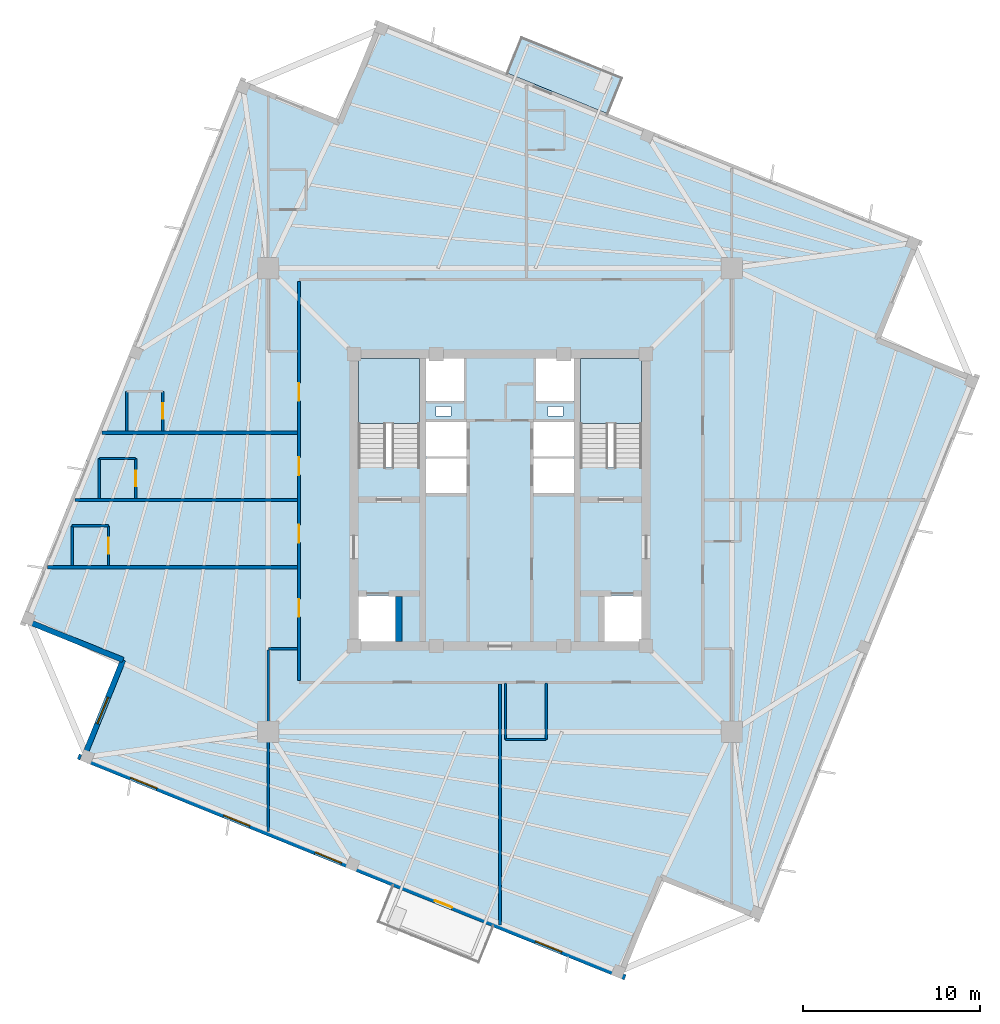
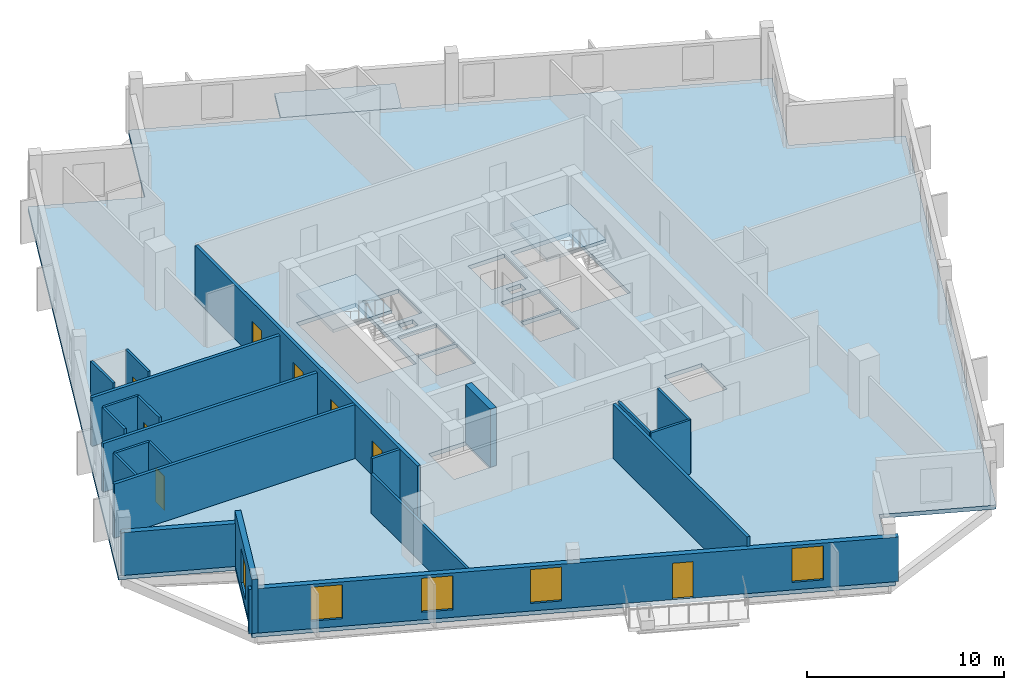
# One storey, part 2 of 8: 22 walls, 8 doors, 5 windows, 4 slabs, 13 openings, 2 elements without a shape of their own.
"""IFC4 building model written with IfcOpenShell, lengths in metres."""

from ifc_helpers import new_model, si_unit, direction, frame, frame_2d, origin, place, context, subcontext, project, spatial, polyline, rectangle, outline, extrude, source, transform, mapped, material, layer, layer_set, type_object, element, fill, aggregate, save


model = new_model("IFC4")

# Units and contexts
model_context = context("Model", 3, precision=1e-05, world=origin(), true_north=direction((0.0, 1.0)))
body_context = subcontext(model_context, "Body", "Model", "MODEL_VIEW")
ifc_project = project(units=[si_unit("LENGTHUNIT", "METRE"), si_unit("AREAUNIT", "SQUARE_METRE"), si_unit("VOLUMEUNIT", "CUBIC_METRE"), si_unit("PLANEANGLEUNIT", "RADIAN"), si_unit("MASSUNIT", "GRAM", prefix="KILO"), si_unit("THERMODYNAMICTEMPERATUREUNIT", "KELVIN")], contexts=[model_context])

# Site, building, storey
site_placement = place(None, origin())
site = spatial("IfcSite", under=ifc_project, at=site_placement, CompositionType="ELEMENT")
building_placement = place(site_placement, origin())
building = spatial("IfcBuilding", under=site, at=building_placement, Name="Kosmvard Interchange Tower", CompositionType="ELEMENT")
storey_placement = place(building_placement, frame((0.0, 0.0, 286.800048828125)))
storey = spatial("IfcBuildingStorey", under=building, at=storey_placement, Name="L70", CompositionType="ELEMENT", Elevation=286.800048828125)

# Slab
ifc_material_1 = material(Name="Concrete C50/60", Category="concrete")
ifc_layer_1 = layer(ifc_material_1, 0.25, Name="Concrete C50/60")
ifc_layer_set_1 = layer_set([ifc_layer_1], Name="Concrete C50/60")
slab_type_1 = type_object("IfcSlabType", Name="Hotel Acoustic Floor Slab 250 C50/60", PredefinedType="FLOOR", material=ifc_layer_set_1)
slab_1_placement = place(storey_placement, frame((0.0, 0.0, -0.25)))
element("IfcSlab", 1, at=slab_1_placement, inside=storey, type_object=slab_type_1, Name="L70 Structural Floor Slab", PredefinedType="FLOOR", context=body_context, shape_type="SweptSolid", body=[
    extrude(outline(polyline([(14.6806640625, -23.727294921875), (27.042724609375, 6.869873046875), (21.4794921875, 9.117431640625), (23.727294921875, 14.6806640625), (-6.869873046875, 27.042724609375), (-9.117431640625, 21.4794921875), (-14.6806640625, 23.727294921875), (-27.042724609375, -6.869873046875), (-21.4794921875, -9.117431640625), (-23.727294921875, -14.6806640625), (6.869873046875, -27.042724609375), (9.117431640625, -21.4794921875), (14.6806640625, -23.727294921875)]), holes=[polyline([(-8.0, 1.8349609375), (-4.5400390625, 1.8349609375), (-4.5400390625, 8.0), (-8.0, 8.0), (-8.0, 1.8349609375)]), polyline([(4.5400390625, 1.8349609375), (8.0, 1.8349609375), (8.0, 8.0), (4.5400390625, 8.0), (4.5400390625, 1.8349609375)]), polyline([(-8.0, -8.0), (-5.800048828125, -8.0), (-5.800048828125, -5.39990234375), (-8.0, -5.39990234375), (-8.0, -8.0)]), polyline([(5.800048828125, -8.0), (8.0, -8.0), (8.0, -5.39990234375), (5.800048828125, -5.39990234375), (5.800048828125, -8.0)]), polyline([(-4.179931640625, 0.39990234375), (-1.8798828125, 0.39990234375), (-1.8798828125, 2.340087890625), (-4.179931640625, 2.340087890625), (-4.179931640625, 0.39990234375)]), polyline([(-4.179931640625, 2.4599609375), (-1.8798828125, 2.4599609375), (-1.8798828125, 4.39990234375), (-4.179931640625, 4.39990234375), (-4.179931640625, 2.4599609375)]), polyline([(1.8798828125, 0.39990234375), (4.179931640625, 0.39990234375), (4.179931640625, 2.340087890625), (1.8798828125, 2.340087890625), (1.8798828125, 0.39990234375)]), polyline([(1.8798828125, 2.4599609375), (4.179931640625, 2.4599609375), (4.179931640625, 4.39990234375), (1.8798828125, 4.39990234375), (1.8798828125, 2.4599609375)]), polyline([(-4.179931640625, 5.60009765625), (-2.0400390625, 5.60009765625), (-2.0400390625, 8.0), (-4.179931640625, 8.0), (-4.179931640625, 5.60009765625)]), polyline([(2.0400390625, 5.60009765625), (4.179931640625, 5.60009765625), (4.179931640625, 8.0), (2.0400390625, 8.0), (2.0400390625, 5.60009765625)]), polyline([(-3.614990234375, 4.739990234375), (-2.764892578125, 4.739990234375), (-2.764892578125, 5.2900390625), (-3.614990234375, 5.2900390625), (-3.614990234375, 4.739990234375)]), polyline([(2.715087890625, 4.739990234375), (3.56494140625, 4.739990234375), (3.56494140625, 5.2900390625), (2.715087890625, 5.2900390625), (2.715087890625, 4.739990234375)])]), origin(), (0.0, 0.0, 1.0), 0.25),
])

# Stair, slab
stair_type = type_object("IfcStairType", Name="Dog-Leg Core Exit Stair H3600 C50/60", PredefinedType="HALF_TURN_STAIR", material=ifc_material_1)
stair_1_placement = place(storey_placement, origin())
stair_1 = element("IfcStair", 2, at=stair_1_placement, inside=storey, type_object=stair_type, Name="L70 Protected Exit Stair ST-1", PredefinedType="HALF_TURN_STAIR")
ifc_layer_2 = layer(ifc_material_1, 0.199951171875, Name="Concrete C50/60")
ifc_layer_set_2 = layer_set([ifc_layer_2], Name="Concrete C50/60")
slab_type_2 = type_object("IfcSlabType", Name="Stair Half-Landing Slab 200 C50/60", PredefinedType="LANDING", material=ifc_layer_set_2)
slab_2_placement = place(storey_placement, frame((0.0, 0.0, 1.599853515625)))
slab_2 = element("IfcSlab", 3, at=slab_2_placement, type_object=slab_type_2, Name="ST-1 landing 1", PredefinedType="LANDING", context=body_context, shape_type="SweptSolid", body=[
    extrude(outline(polyline([(-4.5400390625, 4.320068359375), (-4.5400390625, 8.0), (-8.0, 8.0), (-8.0, 4.320068359375), (-4.5400390625, 4.320068359375)])), origin(), (0.0, 0.0, 1.0), 0.2001953125),
])
aggregate(stair_1, [slab_2])

stair_2_placement = place(storey_placement, origin())
stair_2 = element("IfcStair", 4, at=stair_2_placement, inside=storey, type_object=stair_type, Name="L70 Protected Exit Stair ST-2", PredefinedType="HALF_TURN_STAIR")
slab_3_placement = place(storey_placement, frame((0.0, 0.0, 1.599853515625)))
slab_3 = element("IfcSlab", 5, at=slab_3_placement, type_object=slab_type_2, Name="ST-2 landing 1", PredefinedType="LANDING", context=body_context, shape_type="SweptSolid", body=[
    extrude(outline(polyline([(8.0, 4.320068359375), (8.0, 8.0), (4.5400390625, 8.0), (4.5400390625, 4.320068359375), (8.0, 4.320068359375)])), origin(), (0.0, 0.0, 1.0), 0.2001953125),
])
aggregate(stair_2, [slab_3])

# Slab
ifc_layer_3 = layer(ifc_material_1, 0.22998046875, Name="Concrete C50/60")
ifc_layer_set_3 = layer_set([ifc_layer_3], Name="Concrete C50/60")
slab_type_3 = type_object("IfcSlabType", Name="Tree-Planter Cantilever Balcony Slab 230 C50/60", PredefinedType="FLOOR", material=ifc_layer_set_3)
slab_4_placement = place(storey_placement, frame((0.0, 0.0, -0.22998046875)))
element("IfcSlab", 6, at=slab_4_placement, inside=storey, type_object=slab_type_3, Name="L70 Outdoor Terrace Balcony Slab BAL-L70-E", PredefinedType="FLOOR", context=body_context, shape_type="SweptSolid", body=[
    extrude(outline(polyline([(6.110595703125, 21.798095703125), (6.934814453125, 23.837890625), (1.186279296875, 26.160400390625), (0.362060546875, 24.12060546875), (6.110595703125, 21.798095703125)])), origin(), (0.0, 0.0, 1.0), 0.22998046875),
])

# Walls
ifc_material_2 = material(Name="Acoustic gypsum partition system")
ifc_layer_4 = layer(ifc_material_2, 0.14990234375, Name="Acoustic gypsum partition system")
ifc_layer_set_4 = layer_set([ifc_layer_4], Name="Acoustic gypsum partition system")
wall_type_1 = type_object("IfcWallType", Name="Acoustic Suite & Meeting Partition 150", PredefinedType="PARTITIONING", material=ifc_layer_set_4)
wall_1_placement = place(storey_placement, frame((-11.445068359375, -8.39990234375, 0.0), z_axis=(0.0, 0.0, 1.0), x_axis=(-1.0, 0.0, 0.0)))
element("IfcWall", 7, at=wall_1_placement, inside=storey, type_object=wall_type_1, Name="L70 Room Partition 13.1", PredefinedType="PARTITIONING", context=body_context, shape_type="SweptSolid", body=[
    extrude(rectangle(XDim=1.635986328125, YDim=0.14990234375, at=frame_2d((0.81787109375, 0.0))), origin(), (0.0, 0.0, 1.0), 3.349853515625),
])
wall_2_placement = place(storey_placement, frame((-13.0810546875, -8.47509765625, 0.0), z_axis=(0.0, 0.0, 1.0), x_axis=(0.0, -1.0, 0.0)))
element("IfcWall", 8, at=wall_2_placement, inside=storey, type_object=wall_type_1, Name="L70 Room Partition 14.1", PredefinedType="PARTITIONING", context=body_context, shape_type="SweptSolid", body=[
    extrude(rectangle(XDim=10.24267578125, YDim=0.14990234375, at=frame_2d((5.121337890625, 0.0))), origin(), (0.0, 0.0, 1.0), 2.449951171875),
])

# Wall, openings, doors
ifc_material_3 = material(Name="Fire-rated gypsum partition system")
ifc_layer_5 = layer(ifc_material_3, 0.179931640625, Name="Fire-rated gypsum partition system")
ifc_layer_set_5 = layer_set([ifc_layer_5], Name="Fire-rated gypsum partition system")
wall_type_2 = type_object("IfcWallType", Name="Corridor & Hotel Compartment Partition 180", PredefinedType="PARTITIONING", material=ifc_layer_set_5)
wall_3_placement = place(storey_placement, frame((-11.35009765625, -10.199951171875, 0.0), z_axis=(0.0, 0.0, 1.0), x_axis=(0.0, 1.0, 0.0)))
wall_3 = element("IfcWall", 9, at=wall_3_placement, inside=storey, type_object=wall_type_2, Name="L70 Corridor Wall CW", PredefinedType="PARTITIONING", context=body_context, shape_type="SweptSolid", body=[
    extrude(rectangle(XDim=22.550048828125, YDim=0.179931640625, at=frame_2d((11.27490234375, 0.0))), origin(), (0.0, 0.0, 1.0), 3.349853515625),
])
opening_1_placement = place(wall_3_placement, frame((11.60009765625, 0.0, 0.0)))
opening_1 = element("IfcOpeningElement", 10, at=opening_1_placement, cuts=wall_3, Name="Opening L70-D02", PredefinedType="OPENING", context=body_context, shape_type="SweptSolid", body=[
    extrude(rectangle(XDim=1.0, YDim=2.14990234375, at=frame_2d((0.5, 1.074951171875))), frame((0.0, 0.10009765625, 0.0), z_axis=(0.0, -1.0, 0.0), x_axis=(1.0, 0.0, 0.0)), (0.0, 0.0, 1.0), 0.199951171875),
])
opening_2_placement = place(wall_3_placement, frame((15.800048828125, 0.0, 0.0)))
opening_2 = element("IfcOpeningElement", 11, at=opening_2_placement, cuts=wall_3, Name="Opening L70-D04", PredefinedType="OPENING", context=body_context, shape_type="SweptSolid", body=[
    extrude(rectangle(XDim=1.0, YDim=2.14990234375, at=frame_2d((0.5, 1.074951171875))), frame((0.0, 0.10009765625, 0.0), z_axis=(0.0, -1.0, 0.0), x_axis=(1.0, 0.0, 0.0)), (0.0, 0.0, 1.0), 0.199951171875),
])
opening_3_placement = place(wall_3_placement, frame((3.60009765625, 0.0, 0.0)))
opening_3 = element("IfcOpeningElement", 12, at=opening_3_placement, cuts=wall_3, Name="Opening L70-D15", PredefinedType="OPENING", context=body_context, shape_type="SweptSolid", body=[
    extrude(rectangle(XDim=1.0, YDim=2.14990234375, at=frame_2d((0.5, 1.074951171875))), frame((0.0, 0.10009765625, 0.0), z_axis=(0.0, -1.0, 0.0), x_axis=(1.0, 0.0, 0.0)), (0.0, 0.0, 1.0), 0.199951171875),
])
opening_4_placement = place(wall_3_placement, frame((7.800048828125, 0.0, 0.0)))
opening_4 = element("IfcOpeningElement", 13, at=opening_4_placement, cuts=wall_3, Name="Opening L70-D16", PredefinedType="OPENING", context=body_context, shape_type="SweptSolid", body=[
    extrude(rectangle(XDim=1.0, YDim=2.14990234375, at=frame_2d((0.5, 1.074951171875))), frame((0.0, 0.10009765625, 0.0), z_axis=(0.0, -1.0, 0.0), x_axis=(1.0, 0.0, 0.0)), (0.0, 0.0, 1.0), 0.199951171875),
])
ifc_material_4 = material(Name="Engineered oak fire-rated timber", Category="wood")
door_type_1 = type_object("IfcDoorType", Name="Hotel Guestroom Entrance Door 1000x2150 EI60", OperationType="NOTDEFINED", PredefinedType="DOOR", material=ifc_material_4)
shared_shape_1 = source(origin(), body_context, "Body", "SweptSolid", [
    extrude(rectangle(XDim=1.0, YDim=2.14990234375, at=frame_2d((0.5, 1.074951171875))), frame((0.0, 0.02490234375, 0.0), z_axis=(0.0, -1.0, 0.0), x_axis=(1.0, 0.0, 0.0)), (0.0, 0.0, 1.0), 0.050048828125),
])
door_1_placement = place(opening_1_placement, origin())
door_1 = element("IfcDoor", 14, at=door_1_placement, inside=storey, type_object=door_type_1, Name="L70 Hotel Diplomatic Suite 1 Door", OperationType="SINGLE_SWING_RIGHT", OverallHeight=2.14990234375, OverallWidth=1.0, PredefinedType="DOOR", context=body_context, shape_type="MappedRepresentation", body=[
    mapped(shared_shape_1, transform((0.0, 0.0, 0.0), scale=1.0)),
])
fill(opening_1, door_1)
door_2_placement = place(opening_2_placement, origin())
door_2 = element("IfcDoor", 15, at=door_2_placement, inside=storey, type_object=door_type_1, Name="L70 Hotel Ambassador Suite 2 Door", OperationType="SINGLE_SWING_RIGHT", OverallHeight=2.14990234375, OverallWidth=1.0, PredefinedType="DOOR", context=body_context, shape_type="MappedRepresentation", body=[
    mapped(shared_shape_1, transform((0.0, 0.0, 0.0), scale=1.0)),
])
fill(opening_2, door_2)
door_3_placement = place(opening_3_placement, origin())
door_3 = element("IfcDoor", 16, at=door_3_placement, inside=storey, type_object=door_type_1, Name="L70 Hotel Treaty Briefing Room 2 Door", OperationType="SINGLE_SWING_LEFT", OverallHeight=2.14990234375, OverallWidth=1.0, PredefinedType="DOOR", context=body_context, shape_type="MappedRepresentation", body=[
    mapped(shared_shape_1, transform((0.0, 0.0, 0.0), scale=1.0)),
])
fill(opening_3, door_3)
door_4_placement = place(opening_4_placement, origin())
door_4 = element("IfcDoor", 17, at=door_4_placement, inside=storey, type_object=door_type_1, Name="L70 Hotel North-West Corner Suite 6 Door", OperationType="SINGLE_SWING_RIGHT", OverallHeight=2.14990234375, OverallWidth=1.0, PredefinedType="DOOR", context=body_context, shape_type="MappedRepresentation", body=[
    mapped(shared_shape_1, transform((0.0, 0.0, 0.0), scale=1.0)),
])
fill(opening_4, door_4)

# Walls
wall_4_placement = place(storey_placement, frame((0.0, -10.39501953125, 0.0), z_axis=(0.0, 0.0, 1.0), x_axis=(0.0, -1.0, 0.0)))
element("IfcWall", 18, at=wall_4_placement, inside=storey, type_object=wall_type_2, Name="L70 Room Partition 03.1", PredefinedType="PARTITIONING", context=body_context, shape_type="SweptSolid", body=[
    extrude(rectangle(XDim=13.607666015625, YDim=0.179931640625, at=frame_2d((6.8037109375, 0.0))), origin(), (0.0, 0.0, 1.0), 3.349853515625),
])
wall_5_placement = place(storey_placement, frame((-11.445068359375, -3.800048828125, 0.0), z_axis=(0.0, 0.0, 1.0), x_axis=(-1.0, 0.0, 0.0)))
element("IfcWall", 19, at=wall_5_placement, inside=storey, type_object=wall_type_2, Name="L70 Room Partition 04.1", PredefinedType="PARTITIONING", context=body_context, shape_type="SweptSolid", body=[
    extrude(rectangle(XDim=14.093017578125, YDim=0.179931640625, at=frame_2d((7.04638671875, 0.0))), origin(), (0.0, 0.0, 1.0), 3.349853515625),
])
wall_6_placement = place(storey_placement, frame((-11.445068359375, 0.0, 0.0), z_axis=(0.0, 0.0, 1.0), x_axis=(-1.0, 0.0, 0.0)))
element("IfcWall", 20, at=wall_6_placement, inside=storey, type_object=wall_type_2, Name="L70 Room Partition 05.1", PredefinedType="PARTITIONING", context=body_context, shape_type="SweptSolid", body=[
    extrude(rectangle(XDim=12.5576171875, YDim=0.179931640625, at=frame_2d((6.27880859375, 0.0))), origin(), (0.0, 0.0, 1.0), 3.02001953125),
])
wall_7_placement = place(storey_placement, frame((-11.445068359375, 3.800048828125, 0.0), z_axis=(0.0, 0.0, 1.0), x_axis=(-1.0, 0.0, 0.0)))
element("IfcWall", 21, at=wall_7_placement, inside=storey, type_object=wall_type_2, Name="L70 Room Partition 06.1", PredefinedType="PARTITIONING", context=body_context, shape_type="SweptSolid", body=[
    extrude(rectangle(XDim=11.0224609375, YDim=0.179931640625, at=frame_2d((5.51123046875, 0.0))), origin(), (0.0, 0.0, 1.0), 3.02001953125),
])
ifc_material_5 = material(Name="Concrete C60/75", Category="concrete")
ifc_layer_6 = layer(ifc_material_5, 0.360107421875, Name="Concrete C60/75")
ifc_layer_set_6 = layer_set([ifc_layer_6], Name="Concrete C60/75")
wall_type_3 = type_object("IfcWallType", Name="Stair & Lift Shaft Shear Wall 360 C60/75", PredefinedType="SHEAR", material=ifc_layer_set_6)
wall_8_placement = place(storey_placement, frame((-5.7099609375, -8.0, 0.0), z_axis=(0.0, 0.0, 1.0), x_axis=(0.0, 1.0, 0.0)))
element("IfcWall", 22, at=wall_8_placement, inside=storey, type_object=wall_type_3, Name="L70 Shaft Shear Wall SW-SM1", PredefinedType="SHEAR", context=body_context, shape_type="SweptSolid", body=[
    extrude(rectangle(XDim=2.5400390625, YDim=0.360107421875, at=frame_2d((1.27001953125, 0.0))), origin(), (0.0, 0.0, 1.0), 3.599853515625),
])
ifc_material_6 = material(Name="Precast concrete C45/55", Category="concrete")
ifc_layer_7 = layer(ifc_material_6, 0.31005859375, Name="Precast concrete C45/55")
ifc_layer_set_7 = layer_set([ifc_layer_7], Name="Precast concrete C45/55")
wall_type_4 = type_object("IfcWallType", Name="Upper Tower Precast Pier Wall 310 C45/55", PredefinedType="STANDARD", material=ifc_layer_set_7)
wall_9_placement = place(storey_placement, frame((-26.8408203125, -6.7841796875, 0.0), z_axis=(0.0, 0.0, 1.0), x_axis=(0.927171722085, -0.374636620962, 0.0)))
element("IfcWall", 23, at=wall_9_placement, inside=storey, type_object=wall_type_4, Name="L70 Precast Facade Wall N-NW1", PredefinedType="STANDARD", context=body_context, shape_type="SweptSolid", body=[
    extrude(rectangle(XDim=6.0, YDim=0.31005859375, at=frame_2d((3.0, 0.0))), origin(), (0.0, 0.0, 1.0), 2.64990234375),
])

# Wall, opening, window
wall_10_placement = place(storey_placement, frame((-21.27783203125, -9.031982421875, 0.0), z_axis=(0.0, 0.0, 1.0), x_axis=(-0.374602739196, -0.927185411764, 0.0)))
wall_10 = element("IfcWall", 24, at=wall_10_placement, inside=storey, type_object=wall_type_4, Name="L70 Precast Facade Wall N-NW2", PredefinedType="STANDARD", context=body_context, shape_type="SweptSolid", body=[
    extrude(rectangle(XDim=6.155029296875, YDim=0.31005859375, at=frame_2d((3.07763671875, 0.0))), origin(), (0.0, 0.0, 1.0), 3.349853515625),
])
opening_5_placement = place(wall_10_placement, frame((2.277587890625, 0.0, 0.469970703125)))
opening_5 = element("IfcOpeningElement", 25, at=opening_5_placement, cuts=wall_10, Name="Opening L70-W21", PredefinedType="OPENING", context=body_context, shape_type="SweptSolid", body=[
    extrude(rectangle(XDim=1.60009765625, YDim=2.10009765625, at=frame_2d((0.800048828125, 1.050048828125))), frame((0.0, 0.1650390625, 0.0), z_axis=(0.0, -1.0, 0.0), x_axis=(1.0, 0.0, 0.0)), (0.0, 0.0, 1.0), 0.330078125),
])
ifc_material_7 = material(Name="Low-E acoustic double glazing", Category="glass")
window_type = type_object("IfcWindowType", Name="Zone 5 Hotel Punched Window 1600x2100", PartitioningType="SINGLE_PANEL", PredefinedType="WINDOW", material=ifc_material_7)
shared_shape_2 = source(origin(), body_context, "Body", "SweptSolid", [
    extrude(rectangle(XDim=1.60009765625, YDim=2.10009765625, at=frame_2d((0.800048828125, 1.050048828125))), frame((0.0, 0.030029296875, 0.0), z_axis=(0.0, -1.0, 0.0), x_axis=(1.0, 0.0, 0.0)), (0.0, 0.0, 1.0), 0.06005859375),
])
window_1_placement = place(opening_5_placement, origin())
window_1 = element("IfcWindow", 26, at=window_1_placement, inside=storey, type_object=window_type, Name="L70 Corner Notch Window 21", OverallHeight=2.10009765625, OverallWidth=1.60009765625, PartitioningType="SINGLE_PANEL", PredefinedType="WINDOW", context=body_context, shape_type="MappedRepresentation", body=[
    mapped(shared_shape_2, transform((0.0, 0.0, 0.0), scale=1.0)),
])
fill(opening_5, window_1)

# Wall, openings, door, windows
wall_11_placement = place(storey_placement, frame((-23.812744140625, -14.478759765625, 0.0), z_axis=(0.0, 0.0, 1.0), x_axis=(0.927182657188, -0.374609557019, 0.0)))
wall_11 = element("IfcWall", 27, at=wall_11_placement, inside=storey, type_object=wall_type_4, Name="L70 Precast Facade Wall F-W", PredefinedType="STANDARD", context=body_context, shape_type="SweptSolid", body=[
    extrude(rectangle(XDim=33.31005859375, YDim=0.31005859375, at=frame_2d((16.655029296875, 0.0))), origin(), (0.0, 0.0, 1.0), 2.75),
])
opening_6_placement = place(wall_11_placement, frame((21.72998046875, 0.0, 0.0)))
opening_6 = element("IfcOpeningElement", 28, at=opening_6_placement, cuts=wall_11, Name="Opening L70-BDW", PredefinedType="OPENING", context=body_context, shape_type="SweptSolid", body=[
    extrude(rectangle(XDim=1.050048828125, YDim=2.25, at=frame_2d((0.52490234375, 1.125))), frame((0.0, 0.1650390625, 0.0), z_axis=(0.0, -1.0, 0.0), x_axis=(1.0, 0.0, 0.0)), (0.0, 0.0, 1.0), 0.330078125),
])
opening_7_placement = place(wall_11_placement, frame((3.197265625, 0.0, 0.469970703125)))
opening_7 = element("IfcOpeningElement", 29, at=opening_7_placement, cuts=wall_11, Name="Opening L70-W15", PredefinedType="OPENING", context=body_context, shape_type="SweptSolid", body=[
    extrude(rectangle(XDim=1.60009765625, YDim=2.10009765625, at=frame_2d((0.800048828125, 1.050048828125))), frame((0.0, 0.1650390625, 0.0), z_axis=(0.0, -1.0, 0.0), x_axis=(1.0, 0.0, 0.0)), (0.0, 0.0, 1.0), 0.330078125),
])
opening_8_placement = place(wall_11_placement, frame((8.85986328125, 0.0, 0.469970703125)))
opening_8 = element("IfcOpeningElement", 30, at=opening_8_placement, cuts=wall_11, Name="Opening L70-W16", PredefinedType="OPENING", context=body_context, shape_type="SweptSolid", body=[
    extrude(rectangle(XDim=1.60009765625, YDim=2.10009765625, at=frame_2d((0.800048828125, 1.050048828125))), frame((0.0, 0.1650390625, 0.0), z_axis=(0.0, -1.0, 0.0), x_axis=(1.0, 0.0, 0.0)), (0.0, 0.0, 1.0), 0.330078125),
])
opening_9_placement = place(wall_11_placement, frame((14.438720703125, 0.0, 0.469970703125)))
opening_9 = element("IfcOpeningElement", 31, at=opening_9_placement, cuts=wall_11, Name="Opening L70-W17", PredefinedType="OPENING", context=body_context, shape_type="SweptSolid", body=[
    extrude(rectangle(XDim=1.60009765625, YDim=2.10009765625, at=frame_2d((0.800048828125, 1.050048828125))), frame((0.0, 0.1650390625, 0.0), z_axis=(0.0, -1.0, 0.0), x_axis=(1.0, 0.0, 0.0)), (0.0, 0.0, 1.0), 0.330078125),
])
opening_10_placement = place(wall_11_placement, frame((27.8466796875, 0.0, 0.469970703125)))
opening_10 = element("IfcOpeningElement", 32, at=opening_10_placement, cuts=wall_11, Name="Opening L70-W18", PredefinedType="OPENING", context=body_context, shape_type="SweptSolid", body=[
    extrude(rectangle(XDim=1.60009765625, YDim=2.10009765625, at=frame_2d((0.800048828125, 1.050048828125))), frame((0.0, 0.1650390625, 0.0), z_axis=(0.0, -1.0, 0.0), x_axis=(1.0, 0.0, 0.0)), (0.0, 0.0, 1.0), 0.330078125),
])
ifc_material_8 = material(Name="Anodised aluminium and safety glass", Category="aluminium")
door_type_2 = type_object("IfcDoorType", Name="Tree-Balcony Glazed Door 1050x2250", OperationType="NOTDEFINED", PredefinedType="DOOR", material=ifc_material_8)
shared_shape_3 = source(origin(), body_context, "Body", "SweptSolid", [
    extrude(rectangle(XDim=1.050048828125, YDim=2.25, at=frame_2d((0.52490234375, 1.125))), frame((0.0, 0.02490234375, 0.0), z_axis=(0.0, -1.0, 0.0), x_axis=(1.0, 0.0, 0.0)), (0.0, 0.0, 1.0), 0.050048828125),
])
door_5_placement = place(opening_6_placement, origin())
door_5 = element("IfcDoor", 33, at=door_5_placement, inside=storey, type_object=door_type_2, Name="L70 Tree-Balcony Door BAL-L70-W", OperationType="SINGLE_SWING_LEFT", OverallHeight=2.25, OverallWidth=1.050048828125, PredefinedType="DOOR", context=body_context, shape_type="MappedRepresentation", body=[
    mapped(shared_shape_3, transform((0.0, 0.0, 0.0), scale=1.0)),
])
fill(opening_6, door_5)
window_2_placement = place(opening_7_placement, origin())
window_2 = element("IfcWindow", 34, at=window_2_placement, inside=storey, type_object=window_type, Name="L70 Facade Punched Window 15", OverallHeight=2.10009765625, OverallWidth=1.60009765625, PartitioningType="SINGLE_PANEL", PredefinedType="WINDOW", context=body_context, shape_type="MappedRepresentation", body=[
    mapped(shared_shape_2, transform((0.0, 0.0, 0.0), scale=1.0)),
])
fill(opening_7, window_2)
window_3_placement = place(opening_8_placement, origin())
window_3 = element("IfcWindow", 35, at=window_3_placement, inside=storey, type_object=window_type, Name="L70 Facade Punched Window 16", OverallHeight=2.10009765625, OverallWidth=1.60009765625, PartitioningType="SINGLE_PANEL", PredefinedType="WINDOW", context=body_context, shape_type="MappedRepresentation", body=[
    mapped(shared_shape_2, transform((0.0, 0.0, 0.0), scale=1.0)),
])
fill(opening_8, window_3)
window_4_placement = place(opening_9_placement, origin())
window_4 = element("IfcWindow", 36, at=window_4_placement, inside=storey, type_object=window_type, Name="L70 Facade Punched Window 17", OverallHeight=2.10009765625, OverallWidth=1.60009765625, PartitioningType="SINGLE_PANEL", PredefinedType="WINDOW", context=body_context, shape_type="MappedRepresentation", body=[
    mapped(shared_shape_2, transform((0.0, 0.0, 0.0), scale=1.0)),
])
fill(opening_9, window_4)
window_5_placement = place(opening_10_placement, origin())
window_5 = element("IfcWindow", 37, at=window_5_placement, inside=storey, type_object=window_type, Name="L70 Facade Punched Window 18", OverallHeight=2.10009765625, OverallWidth=1.60009765625, PartitioningType="SINGLE_PANEL", PredefinedType="WINDOW", context=body_context, shape_type="MappedRepresentation", body=[
    mapped(shared_shape_2, transform((0.0, 0.0, 0.0), scale=1.0)),
])
fill(opening_10, window_5)

# Walls
ifc_material_9 = material(Name="Moisture-resistant gypsum partition")
ifc_layer_8 = layer(ifc_material_9, 0.135009765625, Name="Moisture-resistant gypsum partition")
ifc_layer_set_8 = layer_set([ifc_layer_8], Name="Moisture-resistant gypsum partition")
wall_type_5 = type_object("IfcWallType", Name="Wet Room Moisture-Resistant Partition 135", PredefinedType="PARTITIONING", material=ifc_layer_set_8)
wall_12_placement = place(storey_placement, frame((0.31103515625, -13.52001953125, 0.0), z_axis=(0.0, 0.0, 1.0), x_axis=(1.0, 0.0, 0.0)))
element("IfcWall", 38, at=wall_12_placement, inside=storey, type_object=wall_type_5, Name="L70 Washroom Partition HAWC-S", PredefinedType="PARTITIONING", context=body_context, shape_type="SweptSolid", body=[
    extrude(rectangle(XDim=2.300048828125, YDim=0.135009765625, at=frame_2d((1.14990234375, 0.0))), origin(), (0.0, 0.0, 1.0), 3.349853515625),
])
for number, where, z_axis, x_axis, name in (
    (39, (2.611083984375, -13.52001953125, 0.0), (0.0, 0.0, 1.0), (0.0, 1.0, 0.0), "L70 Washroom Partition HAWC-E"),
    (40, (0.31103515625, -13.52001953125, 0.0), (0.0, 0.0, 1.0), (0.0, 1.0, 0.0), "L70 Washroom Partition HAWC-W"),
):
    element("IfcWall", number, at=place(storey_placement, frame(where, z_axis=z_axis, x_axis=x_axis)), inside=storey, type_object=wall_type_5, Name=name, PredefinedType="PARTITIONING", context=body_context, shape_type="SweptSolid", body=[
        extrude(rectangle(XDim=3.199951171875, YDim=0.135009765625, at=frame_2d((1.60009765625, 0.0))), origin(), (0.0, 0.0, 1.0), 3.349853515625),
    ])

# Wall, opening, door
wall_13_placement = place(storey_placement, frame((-20.569580078125, 0.090087890625, 0.0), z_axis=(0.0, 0.0, 1.0), x_axis=(0.0, 1.0, 0.0)))
wall_13 = element("IfcWall", 41, at=wall_13_placement, inside=storey, type_object=wall_type_5, Name="L70 En-Suite Partition HPS1-E", PredefinedType="PARTITIONING", context=body_context, shape_type="SweptSolid", body=[
    extrude(rectangle(XDim=2.25, YDim=0.135009765625, at=frame_2d((1.125, 0.0))), origin(), (0.0, 0.0, 1.0), 3.349853515625),
])
opening_11_placement = place(wall_13_placement, frame((0.68505859375, 0.0, 0.0)))
opening_11 = element("IfcOpeningElement", 42, at=opening_11_placement, cuts=wall_13, Name="Opening L70-ED03", PredefinedType="OPENING", context=body_context, shape_type="SweptSolid", body=[
    extrude(rectangle(XDim=0.8798828125, YDim=2.10009765625, at=frame_2d((0.43994140625, 1.050048828125))), frame((0.0, 0.07763671875, 0.0), z_axis=(0.0, -1.0, 0.0), x_axis=(1.0, 0.0, 0.0)), (0.0, 0.0, 1.0), 0.155029296875),
])
ifc_material_10 = material(Name="Laminated moisture-resistant timber", Category="wood")
door_type_3 = type_object("IfcDoorType", Name="En-Suite & Washroom Door 880x2100", OperationType="NOTDEFINED", PredefinedType="DOOR", material=ifc_material_10)
shared_shape_4 = source(origin(), body_context, "Body", "SweptSolid", [
    extrude(rectangle(XDim=0.8798828125, YDim=2.10009765625, at=frame_2d((0.43994140625, 1.050048828125))), frame((0.0, 0.02490234375, 0.0), z_axis=(0.0, -1.0, 0.0), x_axis=(1.0, 0.0, 0.0)), (0.0, 0.0, 1.0), 0.050048828125),
])
door_6_placement = place(opening_11_placement, origin())
door_6 = element("IfcDoor", 43, at=door_6_placement, inside=storey, type_object=door_type_3, Name="L70 HPS1 En-Suite Door", OperationType="SINGLE_SWING_RIGHT", OverallHeight=2.10009765625, OverallWidth=0.8798828125, PredefinedType="DOOR", context=body_context, shape_type="MappedRepresentation", body=[
    mapped(shared_shape_4, transform((0.0, 0.0, 0.0), scale=1.0)),
])
fill(opening_11, door_6)

# Walls
wall_14_placement = place(storey_placement, frame((-22.619384765625, 2.340087890625, 0.0), z_axis=(0.0, 0.0, 1.0), x_axis=(1.0, 0.0, 0.0)))
element("IfcWall", 44, at=wall_14_placement, inside=storey, type_object=wall_type_5, Name="L70 En-Suite Partition HPS1-N", PredefinedType="PARTITIONING", context=body_context, shape_type="SweptSolid", body=[
    extrude(rectangle(XDim=2.0498046875, YDim=0.135009765625, at=frame_2d((1.02490234375, 0.0))), origin(), (0.0, 0.0, 1.0), 3.349853515625),
])
wall_15_placement = place(storey_placement, frame((-22.619384765625, 0.090087890625, 0.0), z_axis=(0.0, 0.0, 1.0), x_axis=(0.0, 1.0, 0.0)))
element("IfcWall", 45, at=wall_15_placement, inside=storey, type_object=wall_type_5, Name="L70 En-Suite Partition HPS1-W", PredefinedType="PARTITIONING", context=body_context, shape_type="SweptSolid", body=[
    extrude(rectangle(XDim=2.25, YDim=0.135009765625, at=frame_2d((1.125, 0.0))), origin(), (0.0, 0.0, 1.0), 3.349853515625),
])

# Wall, opening, door
wall_16_placement = place(storey_placement, frame((-19.0341796875, 3.889892578125, 0.0), z_axis=(0.0, 0.0, 1.0), x_axis=(0.0, 1.0, 0.0)))
wall_16 = element("IfcWall", 46, at=wall_16_placement, inside=storey, type_object=wall_type_5, Name="L70 En-Suite Partition HPS2-E", PredefinedType="PARTITIONING", context=body_context, shape_type="SweptSolid", body=[
    extrude(rectangle(XDim=2.25, YDim=0.135009765625, at=frame_2d((1.125, 0.0))), origin(), (0.0, 0.0, 1.0), 3.349853515625),
])
opening_12_placement = place(wall_16_placement, frame((0.68505859375, 0.0, 0.0)))
opening_12 = element("IfcOpeningElement", 47, at=opening_12_placement, cuts=wall_16, Name="Opening L70-ED05", PredefinedType="OPENING", context=body_context, shape_type="SweptSolid", body=[
    extrude(rectangle(XDim=0.8798828125, YDim=2.10009765625, at=frame_2d((0.43994140625, 1.050048828125))), frame((0.0, 0.07763671875, 0.0), z_axis=(0.0, -1.0, 0.0), x_axis=(1.0, 0.0, 0.0)), (0.0, 0.0, 1.0), 0.155029296875),
])
door_7_placement = place(opening_12_placement, origin())
door_7 = element("IfcDoor", 48, at=door_7_placement, inside=storey, type_object=door_type_3, Name="L70 HPS2 En-Suite Door", OperationType="SINGLE_SWING_RIGHT", OverallHeight=2.10009765625, OverallWidth=0.8798828125, PredefinedType="DOOR", context=body_context, shape_type="MappedRepresentation", body=[
    mapped(shared_shape_4, transform((0.0, 0.0, 0.0), scale=1.0)),
])
fill(opening_12, door_7)

# Wall
wall_17_placement = place(storey_placement, frame((-21.084228515625, 3.889892578125, 0.0), z_axis=(0.0, 0.0, 1.0), x_axis=(0.0, 1.0, 0.0)))
element("IfcWall", 49, at=wall_17_placement, inside=storey, type_object=wall_type_5, Name="L70 En-Suite Partition HPS2-W", PredefinedType="PARTITIONING", context=body_context, shape_type="SweptSolid", body=[
    extrude(rectangle(XDim=2.25, YDim=0.135009765625, at=frame_2d((1.125, 0.0))), origin(), (0.0, 0.0, 1.0), 3.349853515625),
])

# Wall, opening, door
wall_18_placement = place(storey_placement, frame((-22.104736328125, -3.7099609375, 0.0), z_axis=(0.0, 0.0, 1.0), x_axis=(0.0, 1.0, 0.0)))
wall_18 = element("IfcWall", 50, at=wall_18_placement, inside=storey, type_object=wall_type_5, Name="L70 En-Suite Partition HPS6-E", PredefinedType="PARTITIONING", context=body_context, shape_type="SweptSolid", body=[
    extrude(rectangle(XDim=2.25, YDim=0.135009765625, at=frame_2d((1.125, 0.0))), origin(), (0.0, 0.0, 1.0), 3.349853515625),
])
opening_13_placement = place(wall_18_placement, frame((0.68505859375, 0.0, 0.0)))
opening_13 = element("IfcOpeningElement", 51, at=opening_13_placement, cuts=wall_18, Name="Opening L70-ED17", PredefinedType="OPENING", context=body_context, shape_type="SweptSolid", body=[
    extrude(rectangle(XDim=0.8798828125, YDim=2.10009765625, at=frame_2d((0.43994140625, 1.050048828125))), frame((0.0, 0.07763671875, 0.0), z_axis=(0.0, -1.0, 0.0), x_axis=(1.0, 0.0, 0.0)), (0.0, 0.0, 1.0), 0.155029296875),
])
door_8_placement = place(opening_13_placement, origin())
door_8 = element("IfcDoor", 52, at=door_8_placement, inside=storey, type_object=door_type_3, Name="L70 HPS6 En-Suite Door", OperationType="SINGLE_SWING_RIGHT", OverallHeight=2.10009765625, OverallWidth=0.8798828125, PredefinedType="DOOR", context=body_context, shape_type="MappedRepresentation", body=[
    mapped(shared_shape_4, transform((0.0, 0.0, 0.0), scale=1.0)),
])
fill(opening_13, door_8)

# Walls
wall_19_placement = place(storey_placement, frame((-24.15478515625, -1.4599609375, 0.0), z_axis=(0.0, 0.0, 1.0), x_axis=(1.0, 0.0, 0.0)))
element("IfcWall", 53, at=wall_19_placement, inside=storey, type_object=wall_type_5, Name="L70 En-Suite Partition HPS6-N", PredefinedType="PARTITIONING", context=body_context, shape_type="SweptSolid", body=[
    extrude(rectangle(XDim=2.050048828125, YDim=0.135009765625, at=frame_2d((1.02490234375, 0.0))), origin(), (0.0, 0.0, 1.0), 3.349853515625),
])
wall_20_placement = place(storey_placement, frame((-24.15478515625, -3.7099609375, 0.0), z_axis=(0.0, 0.0, 1.0), x_axis=(0.0, 1.0, 0.0)))
element("IfcWall", 54, at=wall_20_placement, inside=storey, type_object=wall_type_5, Name="L70 En-Suite Partition HPS6-W", PredefinedType="PARTITIONING", context=body_context, shape_type="SweptSolid", body=[
    extrude(rectangle(XDim=2.25, YDim=0.135009765625, at=frame_2d((1.125, 0.0))), origin(), (0.0, 0.0, 1.0), 3.349853515625),
])

save(model, "model.ifc")
